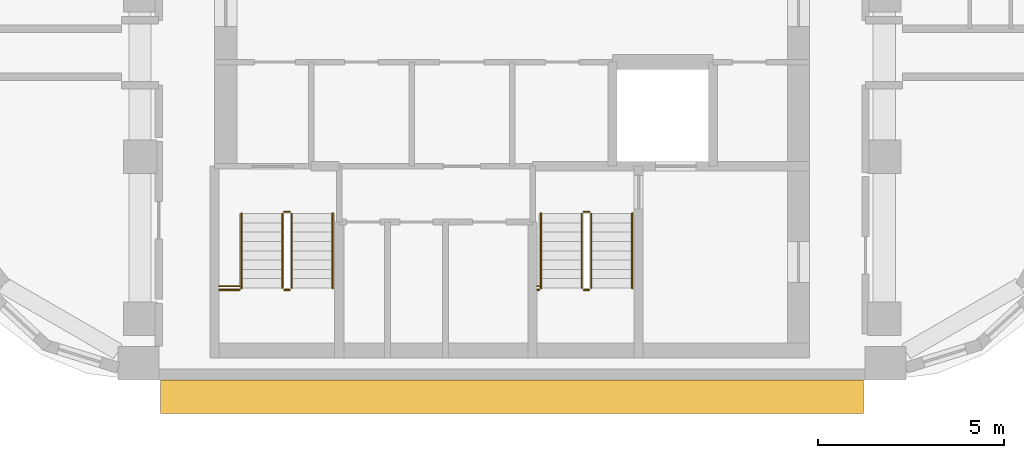
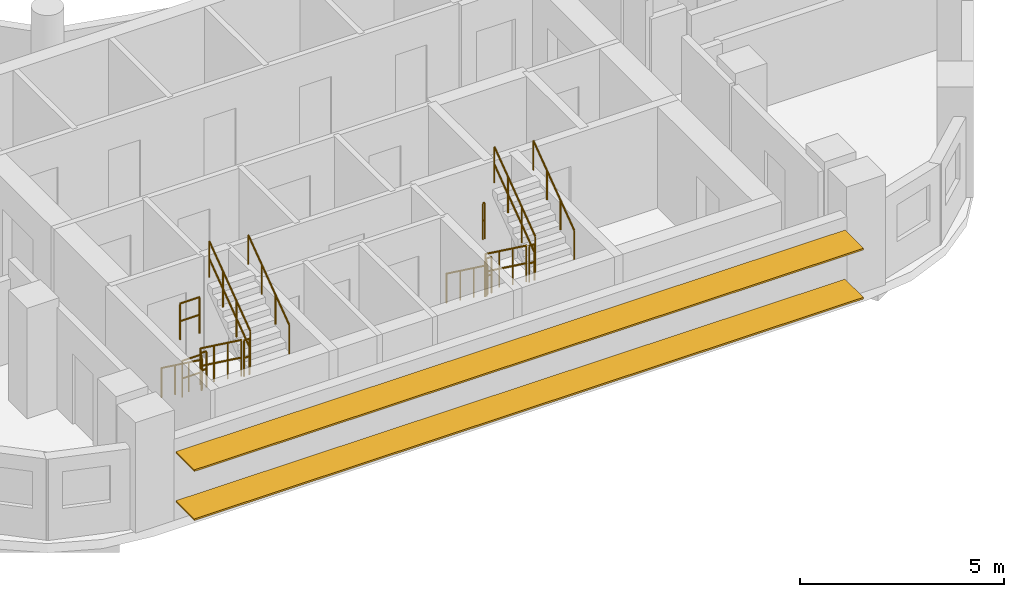
# One storey, part 11 of 13: 16 railings, 2 shading devices.
"""IFC4 building model written with IfcOpenShell, lengths in metres."""

from ifc_helpers import new_model, si_unit, direction, frame, origin, origin_2d, place, context, subcontext, project, spatial, rectangle, circle, extrude, material, material_profile, profile_set, type_object, element, save


model = new_model("IFC4")

# Units and contexts
model_context = context("Model", 3, precision=1e-05, world=origin(), true_north=direction((0.0, 1.0)))
body_context = subcontext(model_context, "Body", "Model", "MODEL_VIEW")
ifc_project = project(units=[si_unit("LENGTHUNIT", "METRE"), si_unit("AREAUNIT", "SQUARE_METRE"), si_unit("VOLUMEUNIT", "CUBIC_METRE"), si_unit("PLANEANGLEUNIT", "RADIAN"), si_unit("MASSUNIT", "GRAM", prefix="KILO")], contexts=[model_context])

# Site, building, storey
site_placement = place(None, origin())
site = spatial("IfcSite", under=ifc_project, at=site_placement, CompositionType="ELEMENT")
building_placement = place(site_placement, origin())
building = spatial("IfcBuilding", under=site, at=building_placement, Name="Nakaniwa Court", CompositionType="ELEMENT")
storey_placement = place(building_placement, frame((0.0, 0.0, 246.0)))
storey = spatial("IfcBuildingStorey", under=building, at=storey_placement, Name="L64", CompositionType="ELEMENT", Elevation=246.0)

# Shading devices
ifc_material_1 = material(Name="Perforated charcoal ceramic louvre blade")
ifc_material_profile = material_profile(ifc_material_1, rectangle(XDim=0.89990234375, YDim=0.050048828125, at=origin_2d()), Name="Perforated ceramic louvre blade")
ifc_profile_set = profile_set([ifc_material_profile], Name="Perforated charcoal ceramic louvre blade")
shading_device_type = type_object("IfcShadingDeviceType", Name="Perforated ceramic louvre blade", PredefinedType="JALOUSIE", material=ifc_profile_set)
for number, where, z_axis, x_axis, name in (
    (1, (70.55078125, 56.89990234375, 0.550048828125), (1.0, 0.0, 0.0), (0.0, 1.0, 0.0), "L64 perforated ceramic louvre blade w26 1"),
    (2, (70.55078125, 56.89990234375, 2.014892578125), (1.0, 0.0, 0.0), (0.0, 1.0, 0.0), "L64 perforated ceramic louvre blade w26 2"),
):
    element("IfcShadingDevice", number, at=place(storey_placement, frame(where, z_axis=z_axis, x_axis=x_axis)), inside=storey, type_object=shading_device_type, Name=name, PredefinedType="JALOUSIE", context=body_context, shape_type="SweptSolid", body=[
        extrude(rectangle(XDim=0.89990234375, YDim=0.050048828125, at=origin_2d()), origin(), (0.0, 0.0, 1.0), 18.892822265625),
    ])

# Railings
ifc_material_2 = material(Name="Black powder coated steel guard", Category="steel")
railing_type_1 = type_object("IfcRailingType", Name="Stair guard 1100", PredefinedType="GUARDRAIL", material=ifc_material_2)
railing_1_placement = place(storey_placement, frame((73.824951171875, 61.824951171875, 0.183349609375)))
element("IfcRailing", 3, at=railing_1_placement, inside=storey, type_object=railing_type_1, Name="L64 ST3 stair guard 1", PredefinedType="GUARDRAIL", context=body_context, shape_type="SweptSolid", body=[
    extrude(circle(Radius=0.02392578125, at=origin_2d()), frame((0.0, 0.0, 1.076171875), z_axis=(0.0, -0.806426902644, 0.591333789573), x_axis=(1.0, 0.0, 0.0)), (0.0, 0.0, 1.0), 2.47998046875),
    extrude(circle(Radius=0.02392578125, at=origin_2d()), frame((0.0, 0.0, 0.550048828125), z_axis=(0.0, -0.806426902644, 0.591333789573), x_axis=(1.0, 0.0, 0.0)), (0.0, 0.0, 1.0), 2.47998046875),
    extrude(circle(Radius=0.02099609375, at=origin_2d()), origin(), (0.0, 0.0, 1.0), 1.052001953125),
    extrude(circle(Radius=0.02099609375, at=origin_2d()), frame((0.0, -0.666748046875, 0.48876953125)), (0.0, 0.0, 1.0), 1.052001953125),
    extrude(circle(Radius=0.02099609375, at=origin_2d()), frame((0.0, -1.333251953125, 0.977783203125)), (0.0, 0.0, 1.0), 1.052001953125),
    extrude(circle(Radius=0.02099609375, at=origin_2d()), frame((0.0, -2.0, 1.466552734375)), (0.0, 0.0, 1.0), 1.052001953125),
])
railing_2_placement = place(storey_placement, frame((73.875, 59.77490234375, 1.64990234375)))
element("IfcRailing", 4, at=railing_2_placement, inside=storey, type_object=railing_type_1, Name="L64 ST3 stair guard 2", PredefinedType="GUARDRAIL", context=body_context, shape_type="SweptSolid", body=[
    extrude(circle(Radius=0.02392578125, at=origin_2d()), frame((0.0, 0.0, 1.076171875), z_axis=(1.0, 0.0, 0.0), x_axis=(0.0, 1.0, 0.0)), (0.0, 0.0, 1.0), 0.14990234375),
    extrude(circle(Radius=0.02392578125, at=origin_2d()), frame((0.0, 0.0, 0.550048828125), z_axis=(1.0, 0.0, 0.0), x_axis=(0.0, 1.0, 0.0)), (0.0, 0.0, 1.0), 0.14990234375),
    extrude(circle(Radius=0.02099609375, at=origin_2d()), origin(), (0.0, 0.0, 1.0), 1.052001953125),
    extrude(circle(Radius=0.02099609375, at=origin_2d()), frame((0.14990234375, 0.0, 0.0)), (0.0, 0.0, 1.0), 1.052001953125),
])
railing_3_placement = place(storey_placement, frame((74.074951171875, 59.824951171875, 1.833251953125)))
element("IfcRailing", 5, at=railing_3_placement, inside=storey, type_object=railing_type_1, Name="L64 ST3 stair guard 3", PredefinedType="GUARDRAIL", context=body_context, shape_type="SweptSolid", body=[
    extrude(circle(Radius=0.02392578125, at=origin_2d()), frame((0.0, 0.0, 1.076171875), z_axis=(0.0, 0.806379959628, 0.591397802423), x_axis=(-1.0, 0.0, 0.0)), (0.0, 0.0, 1.0), 2.480224609375),
    extrude(circle(Radius=0.02392578125, at=origin_2d()), frame((0.0, 0.0, 0.550048828125), z_axis=(0.0, 0.806379959628, 0.591397802423), x_axis=(-1.0, 0.0, 0.0)), (0.0, 0.0, 1.0), 2.480224609375),
    extrude(circle(Radius=0.02099609375, at=origin_2d()), origin(), (0.0, 0.0, 1.0), 1.052001953125),
    extrude(circle(Radius=0.02099609375, at=origin_2d()), frame((0.0, 0.666748046875, 0.489013671875)), (0.0, 0.0, 1.0), 1.052001953125),
    extrude(circle(Radius=0.02099609375, at=origin_2d()), frame((0.0, 1.333251953125, 0.977783203125)), (0.0, 0.0, 1.0), 1.052001953125),
    extrude(circle(Radius=0.02099609375, at=origin_2d()), frame((0.0, 2.0, 1.466796875)), (0.0, 0.0, 1.0), 1.052001953125),
])
railing_4_placement = place(storey_placement, frame((73.875, 61.875, 0.0)))
element("IfcRailing", 6, at=railing_4_placement, inside=storey, type_object=railing_type_1, Name="L64 ST3 stair guard 4", PredefinedType="GUARDRAIL", context=body_context, shape_type="SweptSolid", body=[
    extrude(circle(Radius=0.02392578125, at=origin_2d()), frame((0.0, 0.0, 1.076171875), z_axis=(1.0, 0.0, 0.0), x_axis=(0.0, 1.0, 0.0)), (0.0, 0.0, 1.0), 0.14990234375),
    extrude(circle(Radius=0.02392578125, at=origin_2d()), frame((0.0, 0.0, 0.550048828125), z_axis=(1.0, 0.0, 0.0), x_axis=(0.0, 1.0, 0.0)), (0.0, 0.0, 1.0), 0.14990234375),
    extrude(circle(Radius=0.02099609375, at=origin_2d()), origin(), (0.0, 0.0, 1.0), 1.052001953125),
    extrude(circle(Radius=0.02099609375, at=origin_2d()), frame((0.14990234375, 0.0, 0.0)), (0.0, 0.0, 1.0), 1.052001953125),
])
for number, where, name in (
    (7, (72.125, 59.77490234375, 1.64990234375), "L64 ST3 landing side guard 1W"),
    (8, (72.125, 59.875, 3.300048828125), "L64 ST3 floor edge guard 1W"),
):
    element("IfcRailing", number, at=place(storey_placement, frame(where)), inside=storey, type_object=railing_type_1, Name=name, PredefinedType="GUARDRAIL", context=body_context, shape_type="SweptSolid", body=[
        extrude(circle(Radius=0.02392578125, at=origin_2d()), frame((0.0, 0.0, 1.076171875), z_axis=(1.0, 0.0, 0.0), x_axis=(0.0, 1.0, 0.0)), (0.0, 0.0, 1.0), 0.550048828125),
        extrude(circle(Radius=0.02392578125, at=origin_2d()), frame((0.0, 0.0, 0.550048828125), z_axis=(1.0, 0.0, 0.0), x_axis=(0.0, 1.0, 0.0)), (0.0, 0.0, 1.0), 0.550048828125),
        extrude(circle(Radius=0.02099609375, at=origin_2d()), origin(), (0.0, 0.0, 1.0), 1.052001953125),
        extrude(circle(Radius=0.02099609375, at=origin_2d()), frame((0.550048828125, 0.0, 0.0)), (0.0, 0.0, 1.0), 1.052001953125),
    ])
railing_5_placement = place(storey_placement, frame((81.875, 61.824951171875, 0.183349609375)))
element("IfcRailing", 9, at=railing_5_placement, inside=storey, type_object=railing_type_1, Name="L64 ST4 stair guard 1", PredefinedType="GUARDRAIL", context=body_context, shape_type="SweptSolid", body=[
    extrude(circle(Radius=0.02392578125, at=origin_2d()), frame((0.0, 0.0, 1.076171875), z_axis=(0.0, -0.806426902644, 0.591333789573), x_axis=(1.0, 0.0, 0.0)), (0.0, 0.0, 1.0), 2.47998046875),
    extrude(circle(Radius=0.02392578125, at=origin_2d()), frame((0.0, 0.0, 0.550048828125), z_axis=(0.0, -0.806426902644, 0.591333789573), x_axis=(1.0, 0.0, 0.0)), (0.0, 0.0, 1.0), 2.47998046875),
    extrude(circle(Radius=0.02099609375, at=origin_2d()), origin(), (0.0, 0.0, 1.0), 1.052001953125),
    extrude(circle(Radius=0.02099609375, at=origin_2d()), frame((0.0, -0.666748046875, 0.48876953125)), (0.0, 0.0, 1.0), 1.052001953125),
    extrude(circle(Radius=0.02099609375, at=origin_2d()), frame((0.0, -1.333251953125, 0.977783203125)), (0.0, 0.0, 1.0), 1.052001953125),
    extrude(circle(Radius=0.02099609375, at=origin_2d()), frame((0.0, -2.0, 1.466552734375)), (0.0, 0.0, 1.0), 1.052001953125),
])
railing_6_placement = place(storey_placement, frame((81.925048828125, 59.77490234375, 1.64990234375)))
element("IfcRailing", 10, at=railing_6_placement, inside=storey, type_object=railing_type_1, Name="L64 ST4 stair guard 2", PredefinedType="GUARDRAIL", context=body_context, shape_type="SweptSolid", body=[
    extrude(circle(Radius=0.02392578125, at=origin_2d()), frame((0.0, 0.0, 1.076171875), z_axis=(1.0, 0.0, 0.0), x_axis=(0.0, 1.0, 0.0)), (0.0, 0.0, 1.0), 0.14990234375),
    extrude(circle(Radius=0.02392578125, at=origin_2d()), frame((0.0, 0.0, 0.550048828125), z_axis=(1.0, 0.0, 0.0), x_axis=(0.0, 1.0, 0.0)), (0.0, 0.0, 1.0), 0.14990234375),
    extrude(circle(Radius=0.02099609375, at=origin_2d()), origin(), (0.0, 0.0, 1.0), 1.052001953125),
    extrude(circle(Radius=0.02099609375, at=origin_2d()), frame((0.14990234375, 0.0, 0.0)), (0.0, 0.0, 1.0), 1.052001953125),
])
railing_7_placement = place(storey_placement, frame((82.125, 59.824951171875, 1.833251953125)))
element("IfcRailing", 11, at=railing_7_placement, inside=storey, type_object=railing_type_1, Name="L64 ST4 stair guard 3", PredefinedType="GUARDRAIL", context=body_context, shape_type="SweptSolid", body=[
    extrude(circle(Radius=0.02392578125, at=origin_2d()), frame((0.0, 0.0, 1.076171875), z_axis=(0.0, 0.806379959628, 0.591397802423), x_axis=(-1.0, 0.0, 0.0)), (0.0, 0.0, 1.0), 2.480224609375),
    extrude(circle(Radius=0.02392578125, at=origin_2d()), frame((0.0, 0.0, 0.550048828125), z_axis=(0.0, 0.806379959628, 0.591397802423), x_axis=(-1.0, 0.0, 0.0)), (0.0, 0.0, 1.0), 2.480224609375),
    extrude(circle(Radius=0.02099609375, at=origin_2d()), origin(), (0.0, 0.0, 1.0), 1.052001953125),
    extrude(circle(Radius=0.02099609375, at=origin_2d()), frame((0.0, 0.666748046875, 0.489013671875)), (0.0, 0.0, 1.0), 1.052001953125),
    extrude(circle(Radius=0.02099609375, at=origin_2d()), frame((0.0, 1.333251953125, 0.977783203125)), (0.0, 0.0, 1.0), 1.052001953125),
    extrude(circle(Radius=0.02099609375, at=origin_2d()), frame((0.0, 2.0, 1.466796875)), (0.0, 0.0, 1.0), 1.052001953125),
])
railing_8_placement = place(storey_placement, frame((81.925048828125, 61.875, 0.0)))
element("IfcRailing", 12, at=railing_8_placement, inside=storey, type_object=railing_type_1, Name="L64 ST4 stair guard 4", PredefinedType="GUARDRAIL", context=body_context, shape_type="SweptSolid", body=[
    extrude(circle(Radius=0.02392578125, at=origin_2d()), frame((0.0, 0.0, 1.076171875), z_axis=(1.0, 0.0, 0.0), x_axis=(0.0, 1.0, 0.0)), (0.0, 0.0, 1.0), 0.14990234375),
    extrude(circle(Radius=0.02392578125, at=origin_2d()), frame((0.0, 0.0, 0.550048828125), z_axis=(1.0, 0.0, 0.0), x_axis=(0.0, 1.0, 0.0)), (0.0, 0.0, 1.0), 0.14990234375),
    extrude(circle(Radius=0.02099609375, at=origin_2d()), origin(), (0.0, 0.0, 1.0), 1.052001953125),
    extrude(circle(Radius=0.02099609375, at=origin_2d()), frame((0.14990234375, 0.0, 0.0)), (0.0, 0.0, 1.0), 1.052001953125),
])
for number, where, name in (
    (13, (80.675048828125, 59.77490234375, 1.64990234375), "L64 ST4 landing side guard 1W"),
    (14, (80.675048828125, 59.875, 3.300048828125), "L64 ST4 floor edge guard 1W"),
):
    element("IfcRailing", number, at=place(storey_placement, frame(where)), inside=storey, type_object=railing_type_1, Name=name, PredefinedType="GUARDRAIL", context=body_context, shape_type="SweptSolid", body=[
        extrude(circle(Radius=0.02392578125, at=origin_2d()), frame((0.0, 0.0, 1.076171875), z_axis=(1.0, 0.0, 0.0), x_axis=(0.0, 1.0, 0.0)), (0.0, 0.0, 1.0), 0.050048828125),
        extrude(circle(Radius=0.02392578125, at=origin_2d()), frame((0.0, 0.0, 0.550048828125), z_axis=(1.0, 0.0, 0.0), x_axis=(0.0, 1.0, 0.0)), (0.0, 0.0, 1.0), 0.050048828125),
        extrude(circle(Radius=0.02099609375, at=origin_2d()), origin(), (0.0, 0.0, 1.0), 1.052001953125),
        extrude(circle(Radius=0.02099609375, at=origin_2d()), frame((0.050048828125, 0.0, 0.0)), (0.0, 0.0, 1.0), 1.052001953125),
    ])
ifc_material_3 = material(Name="Black powder coated steel handrail", Category="steel")
railing_type_2 = type_object("IfcRailingType", Name="Stair handrail 900", PredefinedType="HANDRAIL", material=ifc_material_3)
railing_9_placement = place(storey_placement, frame((72.72509765625, 61.824951171875, 0.183349609375)))
element("IfcRailing", 15, at=railing_9_placement, inside=storey, type_object=railing_type_2, Name="L64 ST3 stair handrail 1", PredefinedType="HANDRAIL", context=body_context, shape_type="SweptSolid", body=[
    extrude(circle(Radius=0.02392578125, at=origin_2d()), frame((0.0, 0.0, 0.8759765625), z_axis=(0.0, -0.806426902644, 0.591333789573), x_axis=(1.0, 0.0, 0.0)), (0.0, 0.0, 1.0), 2.47998046875),
    extrude(circle(Radius=0.02099609375, at=origin_2d()), origin(), (0.0, 0.0, 1.0), 0.851806640625),
    extrude(circle(Radius=0.02099609375, at=origin_2d()), frame((0.0, -0.666748046875, 0.48876953125)), (0.0, 0.0, 1.0), 0.851806640625),
    extrude(circle(Radius=0.02099609375, at=origin_2d()), frame((0.0, -1.333251953125, 0.977783203125)), (0.0, 0.0, 1.0), 0.851806640625),
    extrude(circle(Radius=0.02099609375, at=origin_2d()), frame((0.0, -2.0, 1.466552734375)), (0.0, 0.0, 1.0), 0.851806640625),
])
railing_10_placement = place(storey_placement, frame((75.175048828125, 59.824951171875, 1.833251953125)))
element("IfcRailing", 16, at=railing_10_placement, inside=storey, type_object=railing_type_2, Name="L64 ST3 stair handrail 2", PredefinedType="HANDRAIL", context=body_context, shape_type="SweptSolid", body=[
    extrude(circle(Radius=0.02392578125, at=origin_2d()), frame((0.0, 0.0, 0.8759765625), z_axis=(0.0, 0.806379959628, 0.591397802423), x_axis=(-1.0, 0.0, 0.0)), (0.0, 0.0, 1.0), 2.480224609375),
    extrude(circle(Radius=0.02099609375, at=origin_2d()), origin(), (0.0, 0.0, 1.0), 0.851806640625),
    extrude(circle(Radius=0.02099609375, at=origin_2d()), frame((0.0, 0.666748046875, 0.489013671875)), (0.0, 0.0, 1.0), 0.851806640625),
    extrude(circle(Radius=0.02099609375, at=origin_2d()), frame((0.0, 1.333251953125, 0.977783203125)), (0.0, 0.0, 1.0), 0.851806640625),
    extrude(circle(Radius=0.02099609375, at=origin_2d()), frame((0.0, 2.0, 1.466796875)), (0.0, 0.0, 1.0), 0.851806640625),
])
railing_11_placement = place(storey_placement, frame((80.77490234375, 61.824951171875, 0.183349609375)))
element("IfcRailing", 17, at=railing_11_placement, inside=storey, type_object=railing_type_2, Name="L64 ST4 stair handrail 1", PredefinedType="HANDRAIL", context=body_context, shape_type="SweptSolid", body=[
    extrude(circle(Radius=0.02392578125, at=origin_2d()), frame((0.0, 0.0, 0.8759765625), z_axis=(0.0, -0.806426902644, 0.591333789573), x_axis=(1.0, 0.0, 0.0)), (0.0, 0.0, 1.0), 2.47998046875),
    extrude(circle(Radius=0.02099609375, at=origin_2d()), origin(), (0.0, 0.0, 1.0), 0.851806640625),
    extrude(circle(Radius=0.02099609375, at=origin_2d()), frame((0.0, -0.666748046875, 0.48876953125)), (0.0, 0.0, 1.0), 0.851806640625),
    extrude(circle(Radius=0.02099609375, at=origin_2d()), frame((0.0, -1.333251953125, 0.977783203125)), (0.0, 0.0, 1.0), 0.851806640625),
    extrude(circle(Radius=0.02099609375, at=origin_2d()), frame((0.0, -2.0, 1.466552734375)), (0.0, 0.0, 1.0), 0.851806640625),
])
railing_12_placement = place(storey_placement, frame((83.22509765625, 59.824951171875, 1.833251953125)))
element("IfcRailing", 18, at=railing_12_placement, inside=storey, type_object=railing_type_2, Name="L64 ST4 stair handrail 2", PredefinedType="HANDRAIL", context=body_context, shape_type="SweptSolid", body=[
    extrude(circle(Radius=0.02392578125, at=origin_2d()), frame((0.0, 0.0, 0.8759765625), z_axis=(0.0, 0.806379959628, 0.591397802423), x_axis=(-1.0, 0.0, 0.0)), (0.0, 0.0, 1.0), 2.480224609375),
    extrude(circle(Radius=0.02099609375, at=origin_2d()), origin(), (0.0, 0.0, 1.0), 0.851806640625),
    extrude(circle(Radius=0.02099609375, at=origin_2d()), frame((0.0, 0.666748046875, 0.489013671875)), (0.0, 0.0, 1.0), 0.851806640625),
    extrude(circle(Radius=0.02099609375, at=origin_2d()), frame((0.0, 1.333251953125, 0.977783203125)), (0.0, 0.0, 1.0), 0.851806640625),
    extrude(circle(Radius=0.02099609375, at=origin_2d()), frame((0.0, 2.0, 1.466796875)), (0.0, 0.0, 1.0), 0.851806640625),
])

save(model, "model.ifc")
